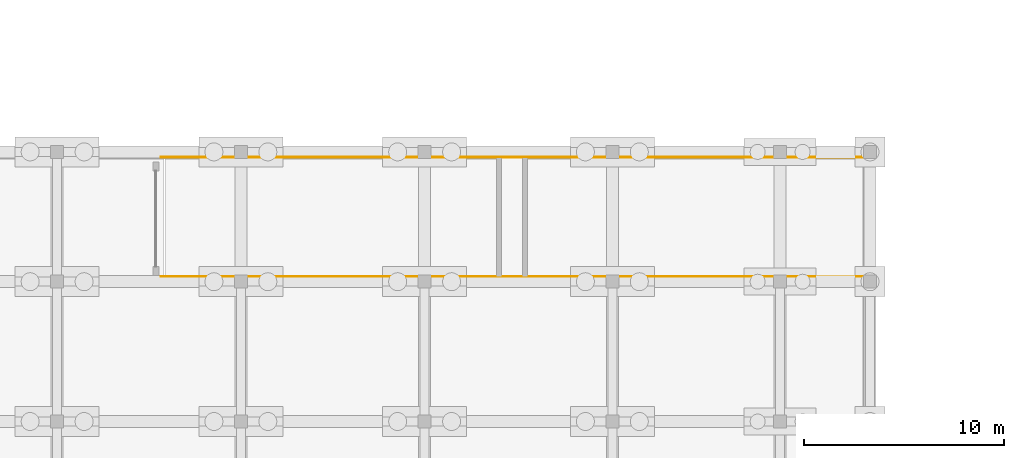
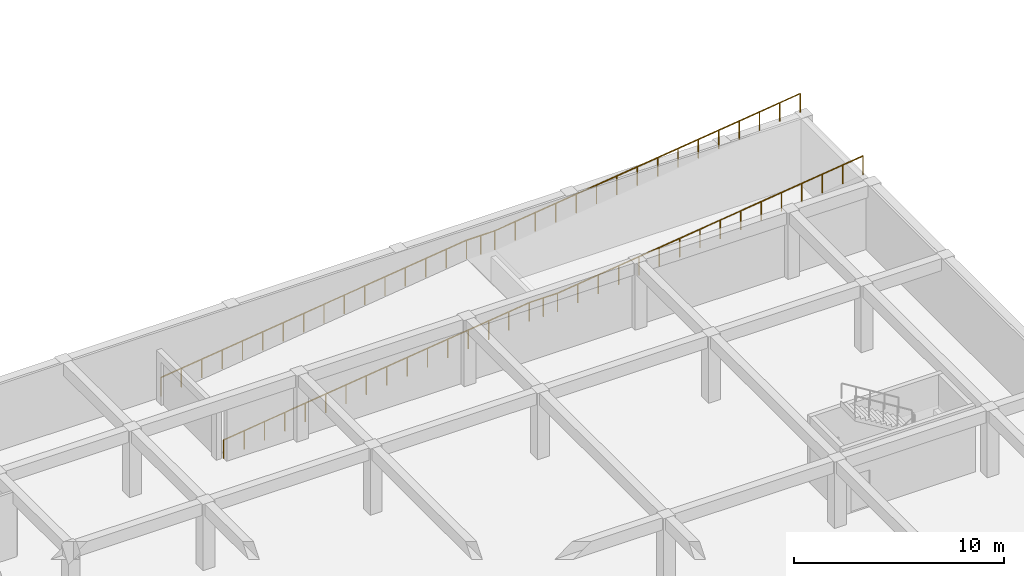
# One storey, part 9 of 10: 2 railings.
"""IFC4 building model written with IfcOpenShell, lengths in metres."""

from ifc_helpers import new_model, si_unit, direction, frame, origin, origin_2d, place, context, subcontext, project, spatial, circle, extrude, material, type_object, element, save


model = new_model("IFC4")

# Units and contexts
model_context = context("Model", 3, precision=1e-05, world=origin(), true_north=direction((0.0, 1.0)))
body_context = subcontext(model_context, "Body", "Model", "MODEL_VIEW")
ifc_project = project(units=[si_unit("LENGTHUNIT", "METRE"), si_unit("AREAUNIT", "SQUARE_METRE"), si_unit("VOLUMEUNIT", "CUBIC_METRE"), si_unit("PLANEANGLEUNIT", "RADIAN"), si_unit("MASSUNIT", "GRAM", prefix="KILO")], contexts=[model_context])

# Site, building, storey
site_placement = place(None, origin())
site = spatial("IfcSite", under=ifc_project, at=site_placement, CompositionType="ELEMENT")
building_placement = place(site_placement, origin())
building = spatial("IfcBuilding", under=site, at=building_placement, Name="Kestramere Prow Commons", CompositionType="ELEMENT")
storey_placement = place(building_placement, frame((0.0, 0.0, -4.199951171875)))
storey = spatial("IfcBuildingStorey", under=building, at=storey_placement, Name="B1", CompositionType="ELEMENT", Elevation=-4.199951171875)

# Railings
ifc_material = material(Name="Galvanised Steel S355JR", Category="steel")
railing_type = type_object("IfcRailingType", Name="GRD-STEEL-1100", PredefinedType="GUARDRAIL", material=ifc_material)
railing_1_placement = place(storey_placement, frame((81.0, 31.260009765625, 0.0)))
element("IfcRailing", 1, at=railing_1_placement, inside=storey, type_object=railing_type, Name="Car Park Ramp R1 Sloped Guardrail S", PredefinedType="GUARDRAIL", context=body_context, shape_type="SweptSolid", body=[
    extrude(circle(Radius=0.02392578125, at=origin_2d()), frame((0.0, 0.0, 1.076171875), z_axis=(0.9922789859, 0.0, 0.124025860778), x_axis=(0.0, 1.0, 0.0)), (0.0, 0.0, 1.0), 16.9306640625),
    extrude(circle(Radius=0.02392578125, at=origin_2d()), frame((16.800048828125, 0.0, 3.17578125), z_axis=(1.0, 0.0, 0.0), x_axis=(0.0, 1.0, 0.0)), (0.0, 0.0, 1.0), 1.550048828125),
    extrude(circle(Radius=0.02392578125, at=origin_2d()), frame((18.35009765625, 0.0, 3.17578125), z_axis=(0.992276989297, 0.0, 0.12404183372), x_axis=(0.0, 1.0, 0.0)), (0.0, 0.0, 1.0), 16.9306640625),
    extrude(circle(Radius=0.02099609375, at=origin_2d()), origin(), (0.0, 0.0, 1.0), 1.052001953125),
    extrude(circle(Radius=0.02099609375, at=origin_2d()), frame((1.1201171875, 0.0, 0.139892578125)), (0.0, 0.0, 1.0), 1.052001953125),
    extrude(circle(Radius=0.02099609375, at=origin_2d()), frame((2.239990234375, 0.0, 0.280029296875)), (0.0, 0.0, 1.0), 1.052001953125),
    extrude(circle(Radius=0.02099609375, at=origin_2d()), frame((3.360107421875, 0.0, 0.419921875)), (0.0, 0.0, 1.0), 1.052001953125),
    extrude(circle(Radius=0.02099609375, at=origin_2d()), frame((4.47998046875, 0.0, 0.56005859375)), (0.0, 0.0, 1.0), 1.052001953125),
    extrude(circle(Radius=0.02099609375, at=origin_2d()), frame((5.60009765625, 0.0, 0.699951171875)), (0.0, 0.0, 1.0), 1.052001953125),
    extrude(circle(Radius=0.02099609375, at=origin_2d()), frame((6.719970703125, 0.0, 0.83984375)), (0.0, 0.0, 1.0), 1.052001953125),
    extrude(circle(Radius=0.02099609375, at=origin_2d()), frame((7.840087890625, 0.0, 0.97998046875)), (0.0, 0.0, 1.0), 1.052001953125),
    extrude(circle(Radius=0.02099609375, at=origin_2d()), frame((8.9599609375, 0.0, 1.119873046875)), (0.0, 0.0, 1.0), 1.052001953125),
    extrude(circle(Radius=0.02099609375, at=origin_2d()), frame((10.080078125, 0.0, 1.260009765625)), (0.0, 0.0, 1.0), 1.052001953125),
    extrude(circle(Radius=0.02099609375, at=origin_2d()), frame((11.199951171875, 0.0, 1.39990234375)), (0.0, 0.0, 1.0), 1.052001953125),
    extrude(circle(Radius=0.02099609375, at=origin_2d()), frame((12.320068359375, 0.0, 1.539794921875)), (0.0, 0.0, 1.0), 1.052001953125),
    extrude(circle(Radius=0.02099609375, at=origin_2d()), frame((13.43994140625, 0.0, 1.679931640625)), (0.0, 0.0, 1.0), 1.052001953125),
    extrude(circle(Radius=0.02099609375, at=origin_2d()), frame((14.56005859375, 0.0, 1.81982421875)), (0.0, 0.0, 1.0), 1.052001953125),
    extrude(circle(Radius=0.02099609375, at=origin_2d()), frame((15.679931640625, 0.0, 1.9599609375)), (0.0, 0.0, 1.0), 1.052001953125),
    extrude(circle(Radius=0.02099609375, at=origin_2d()), frame((16.800048828125, 0.0, 2.099853515625)), (0.0, 0.0, 1.0), 1.052001953125),
    extrude(circle(Radius=0.02099609375, at=origin_2d()), frame((17.5751953125, 0.0, 2.099853515625)), (0.0, 0.0, 1.0), 1.052001953125),
    extrude(circle(Radius=0.02099609375, at=origin_2d()), frame((18.35009765625, 0.0, 2.099853515625)), (0.0, 0.0, 1.0), 1.052001953125),
    extrude(circle(Radius=0.02099609375, at=origin_2d()), frame((19.469970703125, 0.0, 2.23974609375)), (0.0, 0.0, 1.0), 1.052001953125),
    extrude(circle(Radius=0.02099609375, at=origin_2d()), frame((20.590087890625, 0.0, 2.3798828125)), (0.0, 0.0, 1.0), 1.052001953125),
    extrude(circle(Radius=0.02099609375, at=origin_2d()), frame((21.7099609375, 0.0, 2.519775390625)), (0.0, 0.0, 1.0), 1.052001953125),
    extrude(circle(Radius=0.02099609375, at=origin_2d()), frame((22.830078125, 0.0, 2.659912109375)), (0.0, 0.0, 1.0), 1.052001953125),
    extrude(circle(Radius=0.02099609375, at=origin_2d()), frame((23.949951171875, 0.0, 2.7998046875)), (0.0, 0.0, 1.0), 1.052001953125),
    extrude(circle(Radius=0.02099609375, at=origin_2d()), frame((25.070068359375, 0.0, 2.93994140625)), (0.0, 0.0, 1.0), 1.052001953125),
    extrude(circle(Radius=0.02099609375, at=origin_2d()), frame((26.18994140625, 0.0, 3.079833984375)), (0.0, 0.0, 1.0), 1.052001953125),
    extrude(circle(Radius=0.02099609375, at=origin_2d()), frame((27.31005859375, 0.0, 3.219970703125)), (0.0, 0.0, 1.0), 1.052001953125),
    extrude(circle(Radius=0.02099609375, at=origin_2d()), frame((28.429931640625, 0.0, 3.35986328125)), (0.0, 0.0, 1.0), 1.052001953125),
    extrude(circle(Radius=0.02099609375, at=origin_2d()), frame((29.550048828125, 0.0, 3.5)), (0.0, 0.0, 1.0), 1.052001953125),
    extrude(circle(Radius=0.02099609375, at=origin_2d()), frame((30.669921875, 0.0, 3.639892578125)), (0.0, 0.0, 1.0), 1.052001953125),
    extrude(circle(Radius=0.02099609375, at=origin_2d()), frame((31.7900390625, 0.0, 3.780029296875)), (0.0, 0.0, 1.0), 1.052001953125),
    extrude(circle(Radius=0.02099609375, at=origin_2d()), frame((32.909912109375, 0.0, 3.919921875)), (0.0, 0.0, 1.0), 1.052001953125),
    extrude(circle(Radius=0.02099609375, at=origin_2d()), frame((34.030029296875, 0.0, 4.06005859375)), (0.0, 0.0, 1.0), 1.052001953125),
    extrude(circle(Radius=0.02099609375, at=origin_2d()), frame((35.14990234375, 0.0, 4.199951171875)), (0.0, 0.0, 1.0), 1.052001953125),
])
railing_2_placement = place(storey_placement, frame((81.0, 37.239990234375, 0.0)))
element("IfcRailing", 2, at=railing_2_placement, inside=storey, type_object=railing_type, Name="Car Park Ramp R1 Sloped Guardrail N", PredefinedType="GUARDRAIL", context=body_context, shape_type="SweptSolid", body=[
    extrude(circle(Radius=0.02392578125, at=origin_2d()), frame((0.0, 0.0, 1.076171875), z_axis=(0.9922789859, 0.0, 0.124025860778), x_axis=(0.0, 1.0, 0.0)), (0.0, 0.0, 1.0), 16.9306640625),
    extrude(circle(Radius=0.02392578125, at=origin_2d()), frame((16.800048828125, 0.0, 3.17578125), z_axis=(1.0, 0.0, 0.0), x_axis=(0.0, 1.0, 0.0)), (0.0, 0.0, 1.0), 1.550048828125),
    extrude(circle(Radius=0.02392578125, at=origin_2d()), frame((18.35009765625, 0.0, 3.17578125), z_axis=(0.992276989297, 0.0, 0.12404183372), x_axis=(0.0, 1.0, 0.0)), (0.0, 0.0, 1.0), 16.9306640625),
    extrude(circle(Radius=0.02099609375, at=origin_2d()), origin(), (0.0, 0.0, 1.0), 1.052001953125),
    extrude(circle(Radius=0.02099609375, at=origin_2d()), frame((1.1201171875, 0.0, 0.139892578125)), (0.0, 0.0, 1.0), 1.052001953125),
    extrude(circle(Radius=0.02099609375, at=origin_2d()), frame((2.239990234375, 0.0, 0.280029296875)), (0.0, 0.0, 1.0), 1.052001953125),
    extrude(circle(Radius=0.02099609375, at=origin_2d()), frame((3.360107421875, 0.0, 0.419921875)), (0.0, 0.0, 1.0), 1.052001953125),
    extrude(circle(Radius=0.02099609375, at=origin_2d()), frame((4.47998046875, 0.0, 0.56005859375)), (0.0, 0.0, 1.0), 1.052001953125),
    extrude(circle(Radius=0.02099609375, at=origin_2d()), frame((5.60009765625, 0.0, 0.699951171875)), (0.0, 0.0, 1.0), 1.052001953125),
    extrude(circle(Radius=0.02099609375, at=origin_2d()), frame((6.719970703125, 0.0, 0.83984375)), (0.0, 0.0, 1.0), 1.052001953125),
    extrude(circle(Radius=0.02099609375, at=origin_2d()), frame((7.840087890625, 0.0, 0.97998046875)), (0.0, 0.0, 1.0), 1.052001953125),
    extrude(circle(Radius=0.02099609375, at=origin_2d()), frame((8.9599609375, 0.0, 1.119873046875)), (0.0, 0.0, 1.0), 1.052001953125),
    extrude(circle(Radius=0.02099609375, at=origin_2d()), frame((10.080078125, 0.0, 1.260009765625)), (0.0, 0.0, 1.0), 1.052001953125),
    extrude(circle(Radius=0.02099609375, at=origin_2d()), frame((11.199951171875, 0.0, 1.39990234375)), (0.0, 0.0, 1.0), 1.052001953125),
    extrude(circle(Radius=0.02099609375, at=origin_2d()), frame((12.320068359375, 0.0, 1.539794921875)), (0.0, 0.0, 1.0), 1.052001953125),
    extrude(circle(Radius=0.02099609375, at=origin_2d()), frame((13.43994140625, 0.0, 1.679931640625)), (0.0, 0.0, 1.0), 1.052001953125),
    extrude(circle(Radius=0.02099609375, at=origin_2d()), frame((14.56005859375, 0.0, 1.81982421875)), (0.0, 0.0, 1.0), 1.052001953125),
    extrude(circle(Radius=0.02099609375, at=origin_2d()), frame((15.679931640625, 0.0, 1.9599609375)), (0.0, 0.0, 1.0), 1.052001953125),
    extrude(circle(Radius=0.02099609375, at=origin_2d()), frame((16.800048828125, 0.0, 2.099853515625)), (0.0, 0.0, 1.0), 1.052001953125),
    extrude(circle(Radius=0.02099609375, at=origin_2d()), frame((17.5751953125, 0.0, 2.099853515625)), (0.0, 0.0, 1.0), 1.052001953125),
    extrude(circle(Radius=0.02099609375, at=origin_2d()), frame((18.35009765625, 0.0, 2.099853515625)), (0.0, 0.0, 1.0), 1.052001953125),
    extrude(circle(Radius=0.02099609375, at=origin_2d()), frame((19.469970703125, 0.0, 2.23974609375)), (0.0, 0.0, 1.0), 1.052001953125),
    extrude(circle(Radius=0.02099609375, at=origin_2d()), frame((20.590087890625, 0.0, 2.3798828125)), (0.0, 0.0, 1.0), 1.052001953125),
    extrude(circle(Radius=0.02099609375, at=origin_2d()), frame((21.7099609375, 0.0, 2.519775390625)), (0.0, 0.0, 1.0), 1.052001953125),
    extrude(circle(Radius=0.02099609375, at=origin_2d()), frame((22.830078125, 0.0, 2.659912109375)), (0.0, 0.0, 1.0), 1.052001953125),
    extrude(circle(Radius=0.02099609375, at=origin_2d()), frame((23.949951171875, 0.0, 2.7998046875)), (0.0, 0.0, 1.0), 1.052001953125),
    extrude(circle(Radius=0.02099609375, at=origin_2d()), frame((25.070068359375, 0.0, 2.93994140625)), (0.0, 0.0, 1.0), 1.052001953125),
    extrude(circle(Radius=0.02099609375, at=origin_2d()), frame((26.18994140625, 0.0, 3.079833984375)), (0.0, 0.0, 1.0), 1.052001953125),
    extrude(circle(Radius=0.02099609375, at=origin_2d()), frame((27.31005859375, 0.0, 3.219970703125)), (0.0, 0.0, 1.0), 1.052001953125),
    extrude(circle(Radius=0.02099609375, at=origin_2d()), frame((28.429931640625, 0.0, 3.35986328125)), (0.0, 0.0, 1.0), 1.052001953125),
    extrude(circle(Radius=0.02099609375, at=origin_2d()), frame((29.550048828125, 0.0, 3.5)), (0.0, 0.0, 1.0), 1.052001953125),
    extrude(circle(Radius=0.02099609375, at=origin_2d()), frame((30.669921875, 0.0, 3.639892578125)), (0.0, 0.0, 1.0), 1.052001953125),
    extrude(circle(Radius=0.02099609375, at=origin_2d()), frame((31.7900390625, 0.0, 3.780029296875)), (0.0, 0.0, 1.0), 1.052001953125),
    extrude(circle(Radius=0.02099609375, at=origin_2d()), frame((32.909912109375, 0.0, 3.919921875)), (0.0, 0.0, 1.0), 1.052001953125),
    extrude(circle(Radius=0.02099609375, at=origin_2d()), frame((34.030029296875, 0.0, 4.06005859375)), (0.0, 0.0, 1.0), 1.052001953125),
    extrude(circle(Radius=0.02099609375, at=origin_2d()), frame((35.14990234375, 0.0, 4.199951171875)), (0.0, 0.0, 1.0), 1.052001953125),
])

save(model, "model.ifc")
